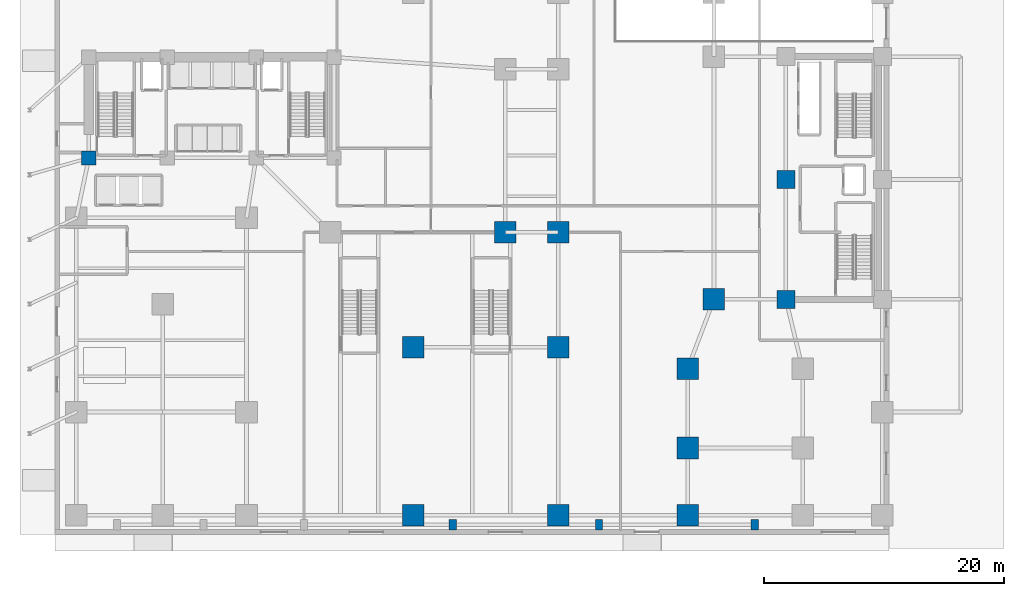
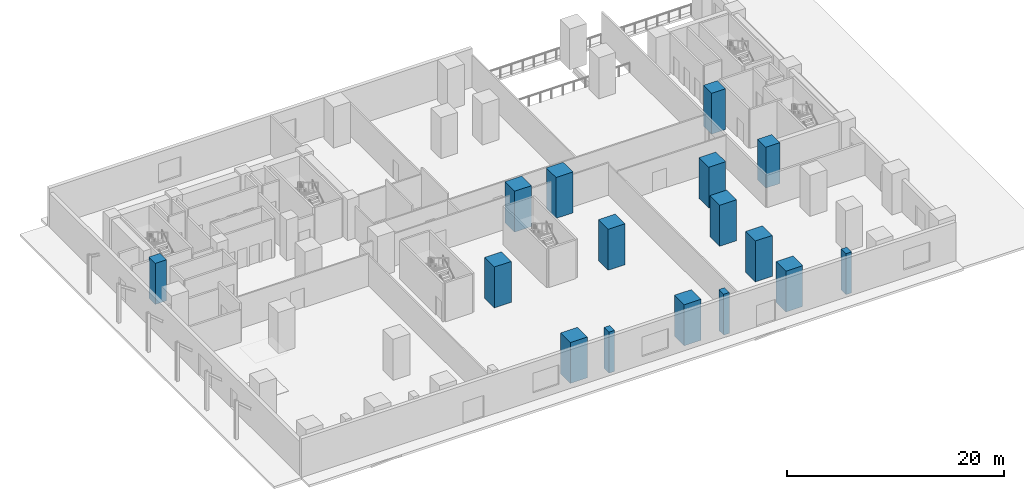
# One storey, part 2 of 14: 16 columns.
"""IFC4 building model written with IfcOpenShell, lengths in metres."""

from ifc_helpers import new_model, si_unit, direction, frame, origin, origin_2d, place, context, subcontext, project, spatial, rectangle, extrude, material, material_profile, profile_set, type_object, element, save


model = new_model("IFC4")

# Units and contexts
model_context = context("Model", 3, precision=1e-05, world=origin(), true_north=direction((0.0, 1.0)))
body_context = subcontext(model_context, "Body", "Model", "MODEL_VIEW")
ifc_project = project(units=[si_unit("LENGTHUNIT", "METRE"), si_unit("AREAUNIT", "SQUARE_METRE"), si_unit("VOLUMEUNIT", "CUBIC_METRE"), si_unit("PLANEANGLEUNIT", "RADIAN"), si_unit("MASSUNIT", "GRAM", prefix="KILO")], contexts=[model_context])

# Site, building, storey
site_placement = place(None, origin())
site = spatial("IfcSite", under=ifc_project, at=site_placement, CompositionType="ELEMENT")
building_placement = place(site_placement, origin())
building = spatial("IfcBuilding", under=site, at=building_placement, Name="Kuzgunbayir Cultural Tower", CompositionType="ELEMENT")
storey_placement = place(building_placement, origin())
storey = spatial("IfcBuildingStorey", under=building, at=storey_placement, Name="L00", CompositionType="ELEMENT", Elevation=0.0)

# Columns
ifc_material = material(Name="Concrete C60/75", Category="concrete")
ifc_material_profile_1 = material_profile(ifc_material, rectangle(XDim=1.199951171875, YDim=1.199951171875, at=origin_2d()), Name="RC 1200x1200")
ifc_profile_set_1 = profile_set([ifc_material_profile_1], Name="Concrete C60/75")
column_type_1 = type_object("IfcColumnType", Name="COL-CORE-1200", PredefinedType="COLUMN", material=ifc_profile_set_1)
column_placement = place(storey_placement, frame((6.449951171875, 33.800048828125, 0.0), z_axis=(0.0, 0.0, 1.0), x_axis=(1.0, 0.0, 0.0)))
element("IfcColumn", 1, at=column_placement, inside=storey, type_object=column_type_1, Name="L00 T1 Core Boundary Column CC1-1", PredefinedType="COLUMN", context=body_context, shape_type="SweptSolid", body=[
    extrude(rectangle(XDim=1.199951171875, YDim=1.199951171875, at=origin_2d()), origin(), (0.0, 0.0, 1.0), 4.60009765625),
])
ifc_material_profile_2 = material_profile(ifc_material, rectangle(XDim=1.5, YDim=1.5, at=origin_2d()), Name="RC 1500x1500")
ifc_profile_set_2 = profile_set([ifc_material_profile_2], Name="Concrete C60/75")
column_type_2 = type_object("IfcColumnType", Name="COL-MEGA-1500", PredefinedType="COLUMN", material=ifc_profile_set_2)
for number, where, z_axis, x_axis, name in (
    (2, (64.60009765625, 22.0, 0.0), (0.0, 0.0, 1.0), (1.0, 0.0, 0.0), "L00 T2 Core Boundary Column CC2-1"),
    (3, (64.60009765625, 32.0, 0.0), (0.0, 0.0, 1.0), (1.0, 0.0, 0.0), "L00 T2 Core Boundary Column CC2-3"),
):
    element("IfcColumn", number, at=place(storey_placement, frame(where, z_axis=z_axis, x_axis=x_axis)), inside=storey, type_object=column_type_2, Name=name, PredefinedType="COLUMN", context=body_context, shape_type="SweptSolid", body=[
        extrude(rectangle(XDim=1.5, YDim=1.5, at=origin_2d()), origin(), (0.0, 0.0, 1.0), 4.60009765625),
    ])
ifc_material_profile_3 = material_profile(ifc_material, rectangle(XDim=1.800048828125, YDim=1.800048828125, at=origin_2d()), Name="RC 1800x1800")
ifc_profile_set_3 = profile_set([ifc_material_profile_3], Name="Concrete C60/75")
column_type_3 = type_object("IfcColumnType", Name="COL-MEGA-1800", PredefinedType="COLUMN", material=ifc_profile_set_3)
for number, where, z_axis, x_axis, name in (
    (4, (41.199951171875, 27.60009765625, 0.0), (0.0, 0.0, 1.0), (1.0, 0.0, 0.0), "L00 Podium Mega-Column PC-T1B-4S"),
    (5, (45.60009765625, 27.60009765625, 0.0), (0.0, 0.0, 1.0), (1.0, 0.0, 0.0), "L00 Podium Mega-Column PC-T1B-5S"),
    (6, (58.60009765625, 22.0, 0.0), (0.0, 0.0, 1.0), (1.0, 0.0, 0.0), "L00 Podium Mega-Column PC-T2A-SW"),
    (7, (56.39990234375, 9.60009765625, 0.0), (0.0, 0.0, 1.0), (1.0, 0.0, 0.0), "L00 Podium Mega-Column PC-T2B-SW"),
    (8, (56.39990234375, 16.199951171875, 0.0), (0.0, 0.0, 1.0), (1.0, 0.0, 0.0), "L00 Podium Mega-Column PC-T2B-MW"),
    (9, (33.5, 4.0, 0.0), (0.0, 0.0, 1.0), (1.0, 0.0, 0.0), "L00 Podium Mega-Column PC-P04"),
    (10, (45.60009765625, 4.0, 0.0), (0.0, 0.0, 1.0), (1.0, 0.0, 0.0), "L00 Podium Mega-Column PC-P05"),
    (11, (56.39990234375, 4.0, 0.0), (0.0, 0.0, 1.0), (1.0, 0.0, 0.0), "L00 Podium Mega-Column PC-P06"),
    (12, (33.5, 18.0, 0.0), (0.0, 0.0, 1.0), (1.0, 0.0, 0.0), "L00 Podium Mega-Column PC-P10"),
    (13, (45.60009765625, 18.0, 0.0), (0.0, 0.0, 1.0), (1.0, 0.0, 0.0), "L00 Podium Mega-Column PC-P11"),
):
    element("IfcColumn", number, at=place(storey_placement, frame(where, z_axis=z_axis, x_axis=x_axis)), inside=storey, type_object=column_type_3, Name=name, PredefinedType="COLUMN", context=body_context, shape_type="SweptSolid", body=[
        extrude(rectangle(XDim=1.800048828125, YDim=1.800048828125, at=origin_2d()), origin(), (0.0, 0.0, 1.0), 4.60009765625),
    ])
ifc_material_profile_4 = material_profile(ifc_material, rectangle(XDim=0.60009765625, YDim=0.89990234375, at=origin_2d()), Name="RC 600x900")
ifc_profile_set_4 = profile_set([ifc_material_profile_4], Name="Concrete C60/75")
column_type_4 = type_object("IfcColumnType", Name="COL-PILASTER-600x900", PredefinedType="PILASTER", material=ifc_profile_set_4)
for number, where, z_axis, x_axis, name in (
    (14, (36.800048828125, 3.199951171875, 0.0), (0.0, 0.0, 1.0), (1.0, 0.0, 0.0), "L00 South Facade Pilaster 4"),
    (15, (49.0, 3.199951171875, 0.0), (0.0, 0.0, 1.0), (1.0, 0.0, 0.0), "L00 South Facade Pilaster 5"),
    (16, (62.0, 3.199951171875, 0.0), (0.0, 0.0, 1.0), (1.0, 0.0, 0.0), "L00 South Facade Pilaster 6"),
):
    element("IfcColumn", number, at=place(storey_placement, frame(where, z_axis=z_axis, x_axis=x_axis)), inside=storey, type_object=column_type_4, Name=name, PredefinedType="PILASTER", context=body_context, shape_type="SweptSolid", body=[
        extrude(rectangle(XDim=0.60009765625, YDim=0.89990234375, at=origin_2d()), origin(), (0.0, 0.0, 1.0), 4.60009765625),
    ])

save(model, "model.ifc")
